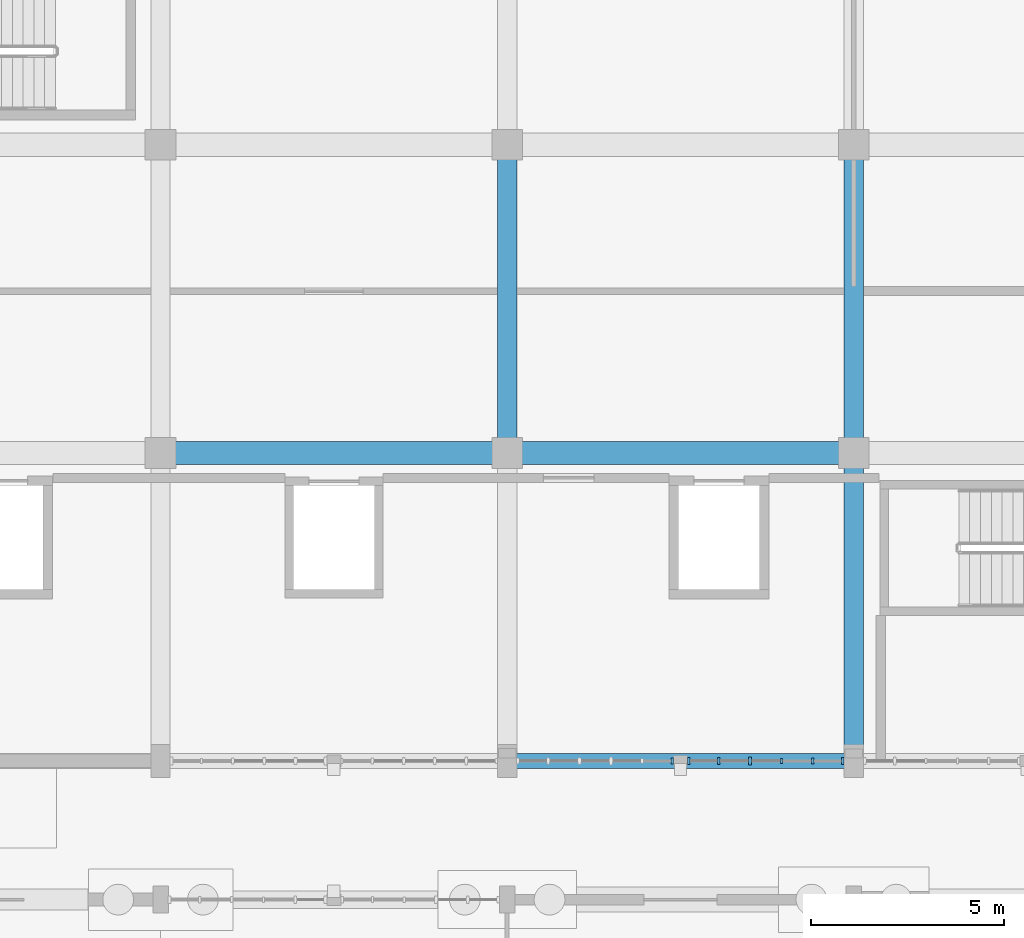
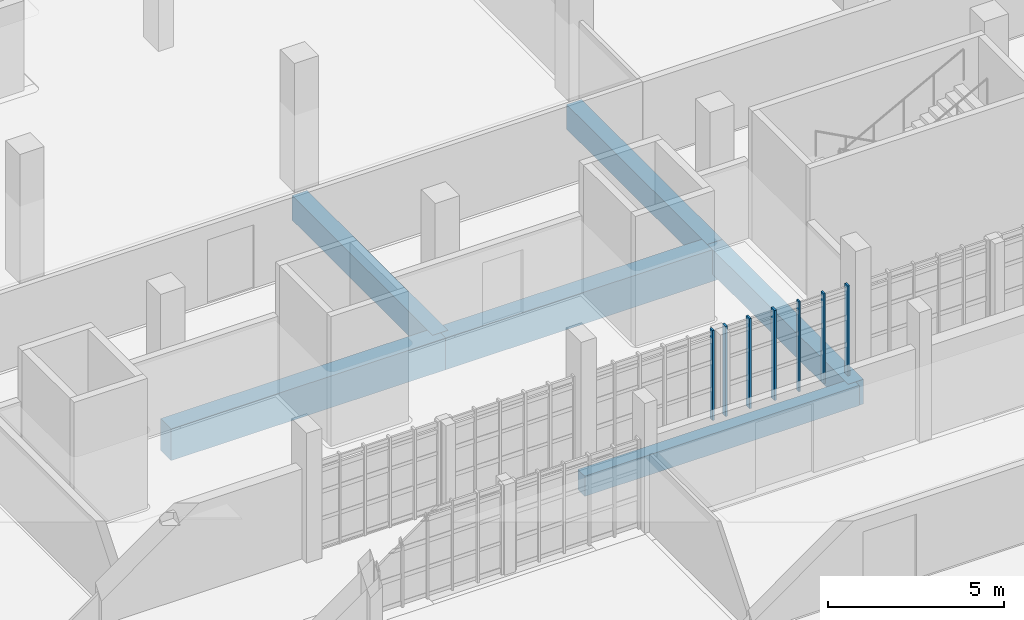
# One storey, part 15 of 63: 7 members, 6 beams, 2 elements without a shape of their own.
"""IFC4 building model written with IfcOpenShell, lengths in metres."""

from ifc_helpers import new_model, si_unit, direction, frame, origin, origin_2d, place, context, subcontext, project, spatial, rectangle, extrude, material, material_profile, profile_set, type_object, element, aggregate, save


model = new_model("IFC4")

# Units and contexts
model_context = context("Model", 3, precision=1e-05, world=origin(), true_north=direction((0.0, 1.0)))
body_context = subcontext(model_context, "Body", "Model", "MODEL_VIEW")
ifc_project = project(units=[si_unit("LENGTHUNIT", "METRE"), si_unit("AREAUNIT", "SQUARE_METRE"), si_unit("VOLUMEUNIT", "CUBIC_METRE"), si_unit("PLANEANGLEUNIT", "RADIAN"), si_unit("MASSUNIT", "GRAM", prefix="KILO")], contexts=[model_context])

# Site, building, storey
site_placement = place(None, origin())
site = spatial("IfcSite", under=ifc_project, at=site_placement, CompositionType="ELEMENT")
building_placement = place(site_placement, origin())
building = spatial("IfcBuilding", under=site, at=building_placement, Name="Serraforn Aerial Cableway Station", CompositionType="ELEMENT")
storey_placement = place(building_placement, origin())
storey = spatial("IfcBuildingStorey", under=building, at=storey_placement, Name="L00", CompositionType="ELEMENT", Elevation=0.0)

# Beams
ifc_material_1 = material(Name="Concrete C35/45", Category="concrete")
ifc_material_profile_1 = material_profile(ifc_material_1, rectangle(XDim=0.39990234375, YDim=0.699951171875, at=origin_2d()), Name="RC 400x700")
ifc_profile_set_1 = profile_set([ifc_material_profile_1], Name="Concrete C35/45")
beam_type_1 = type_object("IfcBeamType", Name="BM-RC-400x700E", PredefinedType="SPANDREL", material=ifc_profile_set_1)
beam_placement = place(storey_placement, frame((54.60009765625, 18.0, -0.7099609375), z_axis=(1.0, 0.0, 0.0), x_axis=(0.0, 1.0, 0.0)))
element("IfcBeam", 1, at=beam_placement, inside=storey, type_object=beam_type_1, Name="Grid Girder X CV L00 Y1-4", PredefinedType="SPANDREL", context=body_context, shape_type="SweptSolid", body=[
    extrude(rectangle(XDim=0.39990234375, YDim=0.699951171875, at=origin_2d()), origin(), (0.0, 0.0, 1.0), 9.0),
])
ifc_material_profile_2 = material_profile(ifc_material_1, rectangle(XDim=0.5, YDim=0.85009765625, at=origin_2d()), Name="RC 500x850")
ifc_profile_set_2 = profile_set([ifc_material_profile_2], Name="Concrete C35/45")
beam_type_2 = type_object("IfcBeamType", Name="BM-RC-500x850", PredefinedType="USERDEFINED", material=ifc_profile_set_2)
for number, where, z_axis, x_axis, name in (
    (2, (54.60009765625, 26.0, -0.784912109375), (0.0, 1.0, 0.0), (-1.0, 0.0, 0.0), "Grid Girder Y CV L00 X4-2"),
    (3, (63.60009765625, 18.0, -0.784912109375), (0.0, 1.0, 0.0), (-1.0, 0.0, 0.0), "Grid Girder Y CV L00 X5-1"),
    (4, (63.60009765625, 26.0, -0.784912109375), (0.0, 1.0, 0.0), (-1.0, 0.0, 0.0), "Grid Girder Y CV L00 X5-2"),
):
    element("IfcBeam", number, at=place(storey_placement, frame(where, z_axis=z_axis, x_axis=x_axis)), inside=storey, type_object=beam_type_2, Name=name, ObjectType="GIRDER", PredefinedType="USERDEFINED", context=body_context, shape_type="SweptSolid", body=[
        extrude(rectangle(XDim=0.5, YDim=0.85009765625, at=origin_2d()), origin(), (0.0, 0.0, 1.0), 8.0),
    ])
ifc_material_2 = material(Name="Concrete C40/50", Category="concrete")
ifc_material_profile_3 = material_profile(ifc_material_2, rectangle(XDim=0.60009765625, YDim=1.10009765625, at=origin_2d()), Name="RC 600x1100")
ifc_profile_set_3 = profile_set([ifc_material_profile_3], Name="Concrete C40/50")
beam_type_3 = type_object("IfcBeamType", Name="BM-RC-600x1100", PredefinedType="USERDEFINED", material=ifc_profile_set_3)
for number, where, z_axis, x_axis, name in (
    (5, (45.60009765625, 26.0, -0.909912109375), (1.0, 0.0, 0.0), (0.0, 1.0, 0.0), "Grid Girder X CV L00 Y2-3"),
    (6, (54.60009765625, 26.0, -0.909912109375), (1.0, 0.0, 0.0), (0.0, 1.0, 0.0), "Grid Girder X CV L00 Y2-4"),
):
    element("IfcBeam", number, at=place(storey_placement, frame(where, z_axis=z_axis, x_axis=x_axis)), inside=storey, type_object=beam_type_3, Name=name, ObjectType="GIRDER", PredefinedType="USERDEFINED", context=body_context, shape_type="SweptSolid", body=[
        extrude(rectangle(XDim=0.60009765625, YDim=1.10009765625, at=origin_2d()), origin(), (0.0, 0.0, 1.0), 9.0),
    ])

# Curtain wall, member
ifc_material_3 = material(Name="Anodised bronze unitised curtain wall")
curtain_wall_type_1 = type_object("IfcCurtainWallType", Name="CW-SYS-6", PredefinedType="USERDEFINED", material=ifc_material_3)
curtain_wall_1_placement = place(storey_placement, origin())
curtain_wall_1 = element("IfcCurtainWall", 7, at=curtain_wall_1_placement, inside=storey, type_object=curtain_wall_type_1, Name="Unitised Curtain Wall CW-CV-L00-S4B", ObjectType="UNITISED CURTAIN WALL", PredefinedType="USERDEFINED")
ifc_material_4 = material(Name="Anodised bronze extruded aluminium", Category="aluminium")
ifc_material_profile_4 = material_profile(ifc_material_4, rectangle(XDim=0.054931640625, YDim=0.139892578125, at=origin_2d()), Name="CW MULLION 55x140")
ifc_profile_set_4 = profile_set([ifc_material_profile_4], Name="Anodised bronze extruded aluminium")
member_type_1 = type_object("IfcMemberType", Name="CW-MUL-1", PredefinedType="MULLION", material=ifc_profile_set_4)
member_1_placement = place(storey_placement, frame((61.72314453125, 18.0, 0.0), z_axis=(0.0, 0.0, 1.0), x_axis=(1.0, 0.0, 0.0)))
member_1 = element("IfcMember", 8, at=member_1_placement, type_object=member_type_1, Name="Curtain Wall Mullion CW-CV-L00-S4B-M4", PredefinedType="MULLION", context=body_context, shape_type="SweptSolid", body=[
    extrude(rectangle(XDim=0.054931640625, YDim=0.139892578125, at=origin_2d()), origin(), (0.0, 0.0, 1.0), 3.1201171875),
])

curtain_wall_type_2 = type_object("IfcCurtainWallType", Name="CW-SYS-5", PredefinedType="USERDEFINED", material=ifc_material_3)
curtain_wall_2_placement = place(storey_placement, origin())
curtain_wall_2 = element("IfcCurtainWall", 9, at=curtain_wall_2_placement, inside=storey, type_object=curtain_wall_type_2, Name="Unitised Curtain Wall CW-CV-L00-S4A", ObjectType="UNITISED CURTAIN WALL", PredefinedType="USERDEFINED")
ifc_material_profile_5 = material_profile(ifc_material_4, rectangle(XDim=0.06005859375, YDim=0.159912109375, at=origin_2d()), Name="CW MULLION 60x160")
ifc_profile_set_5 = profile_set([ifc_material_profile_5], Name="Anodised bronze extruded aluminium")
member_type_2 = type_object("IfcMemberType", Name="CW-MUL-2", PredefinedType="MULLION", material=ifc_profile_set_5)
member_2_placement = place(storey_placement, frame((58.889892578125, 18.0, 0.0), z_axis=(0.0, 0.0, 1.0), x_axis=(1.0, 0.0, 0.0)))
member_2 = element("IfcMember", 10, at=member_2_placement, type_object=member_type_2, Name="Curtain Wall Mullion CW-CV-L00-S4A-M6", PredefinedType="MULLION", context=body_context, shape_type="SweptSolid", body=[
    extrude(rectangle(XDim=0.06005859375, YDim=0.159912109375, at=origin_2d()), origin(), (0.0, 0.0, 1.0), 3.1201171875),
])
aggregate(curtain_wall_2, [member_2])

# Member
member_3_placement = place(storey_placement, frame((62.53759765625, 18.0, 0.0), z_axis=(0.0, 0.0, 1.0), x_axis=(1.0, 0.0, 0.0)))
member_3 = element("IfcMember", 11, at=member_3_placement, type_object=member_type_2, Name="Curtain Wall Mullion CW-CV-L00-S4B-M5", PredefinedType="MULLION", context=body_context, shape_type="SweptSolid", body=[
    extrude(rectangle(XDim=0.06005859375, YDim=0.159912109375, at=origin_2d()), origin(), (0.0, 0.0, 1.0), 3.1201171875),
])

ifc_material_profile_6 = material_profile(ifc_material_4, rectangle(XDim=0.06494140625, YDim=0.175048828125, at=origin_2d()), Name="CW MULLION 65x175")
ifc_profile_set_6 = profile_set([ifc_material_profile_6], Name="Anodised bronze extruded aluminium")
member_type_3 = type_object("IfcMemberType", Name="CW-MUL-3", PredefinedType="MULLION", material=ifc_profile_set_6)
member_4_placement = place(storey_placement, frame((59.3125, 18.0, 0.0), z_axis=(0.0, 0.0, 1.0), x_axis=(1.0, 0.0, 0.0)))
member_4 = element("IfcMember", 12, at=member_4_placement, type_object=member_type_3, Name="Curtain Wall Mullion CW-CV-L00-S4B-M1", PredefinedType="MULLION", context=body_context, shape_type="SweptSolid", body=[
    extrude(rectangle(XDim=0.06494140625, YDim=0.175048828125, at=origin_2d()), origin(), (0.0, 0.0, 1.0), 3.1201171875),
])

member_5_placement = place(storey_placement, frame((63.319580078125, 18.0, 0.0), z_axis=(0.0, 0.0, 1.0), x_axis=(1.0, 0.0, 0.0)))
member_5 = element("IfcMember", 13, at=member_5_placement, type_object=member_type_3, Name="Curtain Wall Mullion CW-CV-L00-S4B-M6", PredefinedType="MULLION", context=body_context, shape_type="SweptSolid", body=[
    extrude(rectangle(XDim=0.06494140625, YDim=0.175048828125, at=origin_2d()), origin(), (0.0, 0.0, 1.0), 3.1201171875),
])

ifc_material_profile_7 = material_profile(ifc_material_4, rectangle(XDim=0.070068359375, YDim=0.18994140625, at=origin_2d()), Name="CW MULLION 70x190")
ifc_profile_set_7 = profile_set([ifc_material_profile_7], Name="Anodised bronze extruded aluminium")
member_type_4 = type_object("IfcMemberType", Name="CW-MUL-4", PredefinedType="MULLION", material=ifc_profile_set_7)
member_6_placement = place(storey_placement, frame((60.094482421875, 18.0, 0.0), z_axis=(0.0, 0.0, 1.0), x_axis=(1.0, 0.0, 0.0)))
member_6 = element("IfcMember", 14, at=member_6_placement, type_object=member_type_4, Name="Curtain Wall Mullion CW-CV-L00-S4B-M2", PredefinedType="MULLION", context=body_context, shape_type="SweptSolid", body=[
    extrude(rectangle(XDim=0.070068359375, YDim=0.18994140625, at=origin_2d()), origin(), (0.0, 0.0, 1.0), 3.1201171875),
])

ifc_material_profile_8 = material_profile(ifc_material_4, rectangle(XDim=0.074951171875, YDim=0.199951171875, at=origin_2d()), Name="CW MULLION 75x200")
ifc_profile_set_8 = profile_set([ifc_material_profile_8], Name="Anodised bronze extruded aluminium")
member_type_5 = type_object("IfcMemberType", Name="CW-MUL-5", PredefinedType="MULLION", material=ifc_profile_set_8)
member_7_placement = place(storey_placement, frame((60.90869140625, 18.0, 0.0), z_axis=(0.0, 0.0, 1.0), x_axis=(1.0, 0.0, 0.0)))
member_7 = element("IfcMember", 15, at=member_7_placement, type_object=member_type_5, Name="Curtain Wall Mullion CW-CV-L00-S4B-M3", PredefinedType="MULLION", context=body_context, shape_type="SweptSolid", body=[
    extrude(rectangle(XDim=0.074951171875, YDim=0.199951171875, at=origin_2d()), origin(), (0.0, 0.0, 1.0), 3.1201171875),
])

aggregate(curtain_wall_1, [member_4, member_6, member_7, member_1, member_3, member_5])

save(model, "model.ifc")
